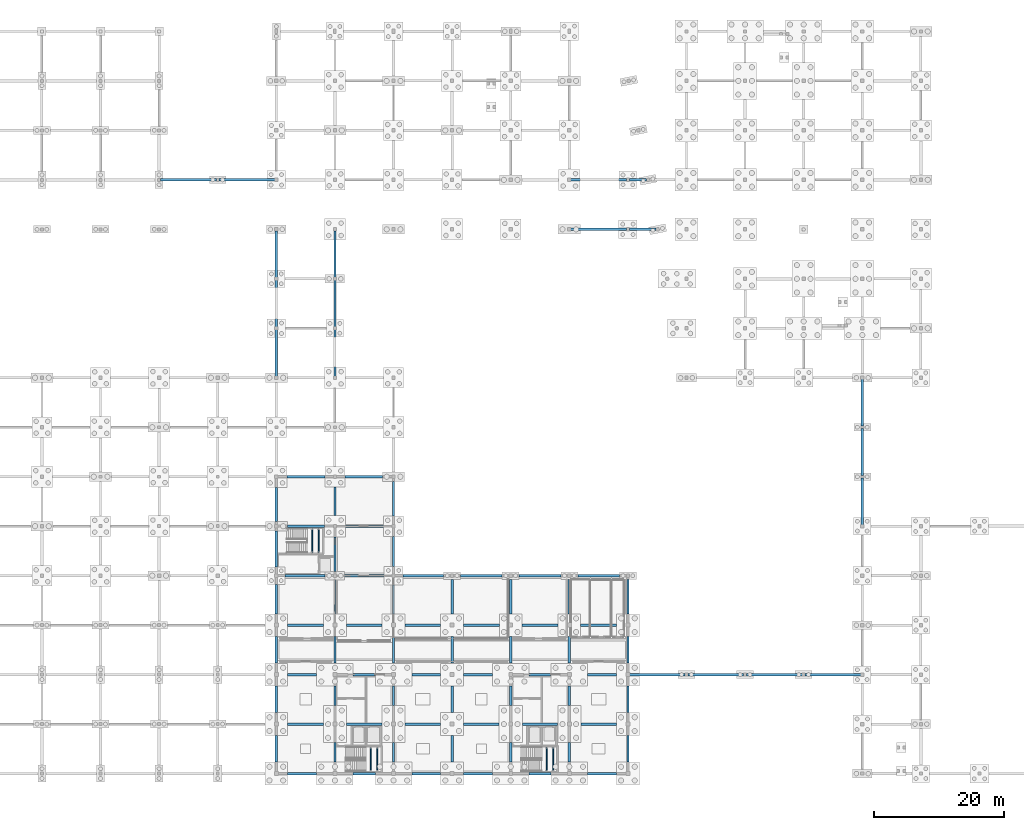
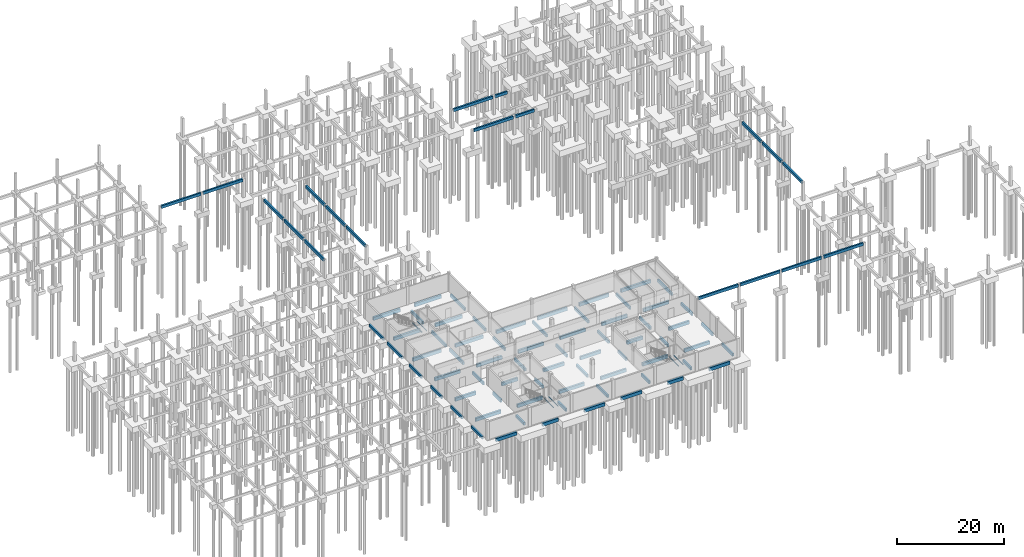
# One storey, part 22 of 28: 93 beams.
"""IFC4 building model written with IfcOpenShell, lengths in metres."""

from ifc_helpers import new_model, si_unit, direction, frame, origin, origin_2d, place, context, subcontext, project, spatial, rectangle, i_section, extrude, material, material_profile, profile_set, type_object, element, save


model = new_model("IFC4")

# Units and contexts
model_context = context("Model", 3, precision=1e-05, world=origin(), true_north=direction((0.0, 1.0)))
body_context = subcontext(model_context, "Body", "Model", "MODEL_VIEW")
ifc_project = project(units=[si_unit("LENGTHUNIT", "METRE"), si_unit("AREAUNIT", "SQUARE_METRE"), si_unit("VOLUMEUNIT", "CUBIC_METRE"), si_unit("PLANEANGLEUNIT", "RADIAN"), si_unit("MASSUNIT", "GRAM", prefix="KILO")], contexts=[model_context])

# Site, building, storey
site_placement = place(None, origin())
site = spatial("IfcSite", under=ifc_project, at=site_placement, CompositionType="ELEMENT")
building_placement = place(site_placement, origin())
building = spatial("IfcBuilding", under=site, at=building_placement, Name="Caisbarro Railhouse Central Library", CompositionType="ELEMENT")
storey_placement = place(building_placement, frame((0.0, 0.0, -4.320068359375)))
storey = spatial("IfcBuildingStorey", under=building, at=storey_placement, Name="B01", CompositionType="ELEMENT", Elevation=-4.320068359375)

# Beams
ifc_material_1 = material(Name="Concrete C35", Category="concrete")
ifc_material_profile_1 = material_profile(ifc_material_1, rectangle(XDim=0.39990234375, YDim=0.75, at=origin_2d()), Name="RC-BM-400X750")
ifc_profile_set_1 = profile_set([ifc_material_profile_1], Name="Concrete C35")
beam_type_1 = type_object("IfcBeamType", Name="BM-RC01", PredefinedType="BEAM", material=ifc_profile_set_1)
beam_1_placement = place(storey_placement, frame((55.751953125, 0.0, -0.724853515625), z_axis=(1.0, 0.0, 0.0), x_axis=(0.0, 1.0, 0.0)))
element("IfcBeam", 1, at=beam_1_placement, inside=storey, type_object=beam_type_1, Name="RCB1 beam B01 #1", PredefinedType="BEAM", context=body_context, shape_type="SweptSolid", body=[
    extrude(rectangle(XDim=0.39990234375, YDim=0.75, at=origin_2d()), origin(), (0.0, 0.0, 1.0), 4.446044921875),
])
beam_2_placement = place(storey_placement, frame((65.802001953125, 0.0, -0.724853515625), z_axis=(1.0, 0.0, 0.0), x_axis=(0.0, 1.0, 0.0)))
element("IfcBeam", 2, at=beam_2_placement, inside=storey, type_object=beam_type_1, Name="RCB1 beam B01 #2", PredefinedType="BEAM", context=body_context, shape_type="SweptSolid", body=[
    extrude(rectangle(XDim=0.39990234375, YDim=0.75, at=origin_2d()), origin(), (0.0, 0.0, 1.0), 3.39599609375),
])
for number, where, z_axis, x_axis, name in (
    (3, (74.802001953125, 0.0, -0.724853515625), (1.0, 0.0, 0.0), (0.0, 1.0, 0.0), "RCB1 beam B01 #3"),
    (4, (82.751953125, 0.0, -0.724853515625), (1.0, 0.0, 0.0), (0.0, 1.0, 0.0), "RCB1 beam B01 #4"),
):
    element("IfcBeam", number, at=place(storey_placement, frame(where, z_axis=z_axis, x_axis=x_axis)), inside=storey, type_object=beam_type_1, Name=name, PredefinedType="BEAM", context=body_context, shape_type="SweptSolid", body=[
        extrude(rectangle(XDim=0.39990234375, YDim=0.75, at=origin_2d()), origin(), (0.0, 0.0, 1.0), 4.446044921875),
    ])
beam_3_placement = place(storey_placement, frame((92.802001953125, 0.0, -0.724853515625), z_axis=(1.0, 0.0, 0.0), x_axis=(0.0, 1.0, 0.0)))
element("IfcBeam", 5, at=beam_3_placement, inside=storey, type_object=beam_type_1, Name="RCB1 beam B01 #5", PredefinedType="BEAM", context=body_context, shape_type="SweptSolid", body=[
    extrude(rectangle(XDim=0.39990234375, YDim=0.75, at=origin_2d()), origin(), (0.0, 0.0, 1.0), 3.39599609375),
])
beam_4_placement = place(storey_placement, frame((101.802001953125, 0.0, -0.724853515625), z_axis=(1.0, 0.0, 0.0), x_axis=(0.0, 1.0, 0.0)))
element("IfcBeam", 6, at=beam_4_placement, inside=storey, type_object=beam_type_1, Name="RCB1 beam B01 #6", PredefinedType="BEAM", context=body_context, shape_type="SweptSolid", body=[
    extrude(rectangle(XDim=0.39990234375, YDim=0.75, at=origin_2d()), origin(), (0.0, 0.0, 1.0), 4.446044921875),
])
beam_5_placement = place(storey_placement, frame((55.751953125, 7.60009765625, -0.724853515625), z_axis=(1.0, 0.0, 0.0), x_axis=(0.0, 1.0, 0.0)))
element("IfcBeam", 7, at=beam_5_placement, inside=storey, type_object=beam_type_1, Name="RCB1 beam B01 #7", PredefinedType="BEAM", context=body_context, shape_type="SweptSolid", body=[
    extrude(rectangle(XDim=0.39990234375, YDim=0.75, at=origin_2d()), origin(), (0.0, 0.0, 1.0), 5.470947265625),
])
beam_6_placement = place(storey_placement, frame((64.777099609375, 7.60009765625, -0.724853515625), z_axis=(1.0, 0.0, 0.0), x_axis=(0.0, 1.0, 0.0)))
element("IfcBeam", 8, at=beam_6_placement, inside=storey, type_object=beam_type_1, Name="RCB1 beam B01 #8", PredefinedType="BEAM", context=body_context, shape_type="SweptSolid", body=[
    extrude(rectangle(XDim=0.39990234375, YDim=0.75, at=origin_2d()), origin(), (0.0, 0.0, 1.0), 5.44580078125),
])
for number, where, z_axis, x_axis, name in (
    (9, (73.777099609375, 7.60009765625, -0.724853515625), (1.0, 0.0, 0.0), (0.0, 1.0, 0.0), "RCB1 beam B01 #9"),
    (10, (82.751953125, 7.60009765625, -0.724853515625), (1.0, 0.0, 0.0), (0.0, 1.0, 0.0), "RCB1 beam B01 #10"),
):
    element("IfcBeam", number, at=place(storey_placement, frame(where, z_axis=z_axis, x_axis=x_axis)), inside=storey, type_object=beam_type_1, Name=name, PredefinedType="BEAM", context=body_context, shape_type="SweptSolid", body=[
        extrude(rectangle(XDim=0.39990234375, YDim=0.75, at=origin_2d()), origin(), (0.0, 0.0, 1.0), 5.470947265625),
    ])
beam_7_placement = place(storey_placement, frame((91.777099609375, 7.60009765625, -0.724853515625), z_axis=(1.0, 0.0, 0.0), x_axis=(0.0, 1.0, 0.0)))
element("IfcBeam", 11, at=beam_7_placement, inside=storey, type_object=beam_type_1, Name="RCB1 beam B01 #11", PredefinedType="BEAM", context=body_context, shape_type="SweptSolid", body=[
    extrude(rectangle(XDim=0.39990234375, YDim=0.75, at=origin_2d()), origin(), (0.0, 0.0, 1.0), 5.44580078125),
])
beam_8_placement = place(storey_placement, frame((100.777099609375, 7.60009765625, -0.724853515625), z_axis=(1.0, 0.0, 0.0), x_axis=(0.0, 1.0, 0.0)))
element("IfcBeam", 12, at=beam_8_placement, inside=storey, type_object=beam_type_1, Name="RCB1 beam B01 #12", PredefinedType="BEAM", context=body_context, shape_type="SweptSolid", body=[
    extrude(rectangle(XDim=0.39990234375, YDim=0.75, at=origin_2d()), origin(), (0.0, 0.0, 1.0), 5.470947265625),
])
beam_9_placement = place(storey_placement, frame((55.751953125, 15.199951171875, -0.724853515625), z_axis=(1.0, 0.0, 0.0), x_axis=(0.0, 1.0, 0.0)))
element("IfcBeam", 13, at=beam_9_placement, inside=storey, type_object=beam_type_1, Name="RCB1 beam B01 #13", PredefinedType="BEAM", context=body_context, shape_type="SweptSolid", body=[
    extrude(rectangle(XDim=0.39990234375, YDim=0.75, at=origin_2d()), origin(), (0.0, 0.0, 1.0), 4.446044921875),
])
beam_10_placement = place(storey_placement, frame((65.802001953125, 15.199951171875, -0.724853515625), z_axis=(1.0, 0.0, 0.0), x_axis=(0.0, 1.0, 0.0)))
element("IfcBeam", 14, at=beam_10_placement, inside=storey, type_object=beam_type_1, Name="RCB1 beam B01 #14", PredefinedType="BEAM", context=body_context, shape_type="SweptSolid", body=[
    extrude(rectangle(XDim=0.39990234375, YDim=0.75, at=origin_2d()), origin(), (0.0, 0.0, 1.0), 3.39599609375),
])
for number, where, z_axis, x_axis, name in (
    (15, (74.802001953125, 15.199951171875, -0.724853515625), (1.0, 0.0, 0.0), (0.0, 1.0, 0.0), "RCB1 beam B01 #15"),
    (16, (82.751953125, 15.199951171875, -0.724853515625), (1.0, 0.0, 0.0), (0.0, 1.0, 0.0), "RCB1 beam B01 #16"),
):
    element("IfcBeam", number, at=place(storey_placement, frame(where, z_axis=z_axis, x_axis=x_axis)), inside=storey, type_object=beam_type_1, Name=name, PredefinedType="BEAM", context=body_context, shape_type="SweptSolid", body=[
        extrude(rectangle(XDim=0.39990234375, YDim=0.75, at=origin_2d()), origin(), (0.0, 0.0, 1.0), 4.446044921875),
    ])
beam_11_placement = place(storey_placement, frame((92.802001953125, 15.199951171875, -0.724853515625), z_axis=(1.0, 0.0, 0.0), x_axis=(0.0, 1.0, 0.0)))
element("IfcBeam", 17, at=beam_11_placement, inside=storey, type_object=beam_type_1, Name="RCB1 beam B01 #17", PredefinedType="BEAM", context=body_context, shape_type="SweptSolid", body=[
    extrude(rectangle(XDim=0.39990234375, YDim=0.75, at=origin_2d()), origin(), (0.0, 0.0, 1.0), 3.39599609375),
])
beam_12_placement = place(storey_placement, frame((101.802001953125, 15.199951171875, -0.724853515625), z_axis=(1.0, 0.0, 0.0), x_axis=(0.0, 1.0, 0.0)))
element("IfcBeam", 18, at=beam_12_placement, inside=storey, type_object=beam_type_1, Name="RCB1 beam B01 #18", PredefinedType="BEAM", context=body_context, shape_type="SweptSolid", body=[
    extrude(rectangle(XDim=0.39990234375, YDim=0.75, at=origin_2d()), origin(), (0.0, 0.0, 1.0), 4.446044921875),
])
for number, where, z_axis, x_axis, name in (
    (19, (55.751953125, 22.800048828125, -0.724853515625), (1.0, 0.0, 0.0), (0.0, 1.0, 0.0), "RCB1 beam B01 #19"),
    (20, (64.751953125, 22.800048828125, -0.724853515625), (1.0, 0.0, 0.0), (0.0, 1.0, 0.0), "RCB1 beam B01 #20"),
    (21, (73.751953125, 22.800048828125, -0.724853515625), (1.0, 0.0, 0.0), (0.0, 1.0, 0.0), "RCB1 beam B01 #21"),
    (22, (82.751953125, 22.800048828125, -0.724853515625), (1.0, 0.0, 0.0), (0.0, 1.0, 0.0), "RCB1 beam B01 #22"),
    (23, (91.751953125, 22.800048828125, -0.724853515625), (1.0, 0.0, 0.0), (0.0, 1.0, 0.0), "RCB1 beam B01 #23"),
    (24, (100.751953125, 22.800048828125, -0.724853515625), (1.0, 0.0, 0.0), (0.0, 1.0, 0.0), "RCB1 beam B01 #24"),
):
    element("IfcBeam", number, at=place(storey_placement, frame(where, z_axis=z_axis, x_axis=x_axis)), inside=storey, type_object=beam_type_1, Name=name, PredefinedType="BEAM", context=body_context, shape_type="SweptSolid", body=[
        extrude(rectangle(XDim=0.39990234375, YDim=0.75, at=origin_2d()), origin(), (0.0, 0.0, 1.0), 5.49609375),
    ])
beam_13_placement = place(storey_placement, frame((55.35205078125, 30.39990234375, -0.724853515625), z_axis=(1.0, 0.0, 0.0), x_axis=(0.0, 1.0, 0.0)))
element("IfcBeam", 25, at=beam_13_placement, inside=storey, type_object=beam_type_1, Name="RCB1 beam B01 #25", PredefinedType="BEAM", context=body_context, shape_type="SweptSolid", body=[
    extrude(rectangle(XDim=0.39990234375, YDim=0.75, at=origin_2d()), origin(), (0.0, 0.0, 1.0), 6.14599609375),
])
beam_14_placement = place(storey_placement, frame((64.501953125, 30.39990234375, -0.724853515625), z_axis=(1.0, 0.0, 0.0), x_axis=(0.0, 1.0, 0.0)))
element("IfcBeam", 26, at=beam_14_placement, inside=storey, type_object=beam_type_1, Name="RCB1 beam B01 #26", PredefinedType="BEAM", context=body_context, shape_type="SweptSolid", body=[
    extrude(rectangle(XDim=0.39990234375, YDim=0.75, at=origin_2d()), origin(), (0.0, 0.0, 1.0), 6.071044921875),
])
beam_15_placement = place(storey_placement, frame((73.427001953125, 30.39990234375, -0.724853515625), z_axis=(1.0, 0.0, 0.0), x_axis=(0.0, 1.0, 0.0)))
element("IfcBeam", 27, at=beam_15_placement, inside=storey, type_object=beam_type_1, Name="RCB1 beam B01 #27", PredefinedType="BEAM", context=body_context, shape_type="SweptSolid", body=[
    extrude(rectangle(XDim=0.39990234375, YDim=0.75, at=origin_2d()), origin(), (0.0, 0.0, 1.0), 6.27099609375),
])
for number, where, z_axis, x_axis, name in (
    (28, (82.302001953125, 30.39990234375, -0.724853515625), (1.0, 0.0, 0.0), (0.0, 1.0, 0.0), "RCB1 beam B01 #28"),
    (29, (91.302001953125, 30.39990234375, -0.724853515625), (1.0, 0.0, 0.0), (0.0, 1.0, 0.0), "RCB1 beam B01 #29"),
    (30, (100.302001953125, 30.39990234375, -0.724853515625), (1.0, 0.0, 0.0), (0.0, 1.0, 0.0), "RCB1 beam B01 #30"),
):
    element("IfcBeam", number, at=place(storey_placement, frame(where, z_axis=z_axis, x_axis=x_axis)), inside=storey, type_object=beam_type_1, Name=name, PredefinedType="BEAM", context=body_context, shape_type="SweptSolid", body=[
        extrude(rectangle(XDim=0.39990234375, YDim=0.75, at=origin_2d()), origin(), (0.0, 0.0, 1.0), 6.39599609375),
    ])
beam_16_placement = place(storey_placement, frame((55.701904296875, 38.0, -0.675048828125), z_axis=(1.0, 0.0, 0.0), x_axis=(0.0, 1.0, 0.0)))
element("IfcBeam", 31, at=beam_16_placement, inside=storey, type_object=beam_type_1, Name="RCB1 beam B01 #59", PredefinedType="BEAM", context=body_context, shape_type="SweptSolid", body=[
    extrude(rectangle(XDim=0.39990234375, YDim=0.75, at=origin_2d()), origin(), (0.0, 0.0, 1.0), 5.671142578125),
])
for number, where, z_axis, x_axis, name in (
    (32, (64.626953125, 38.0, -0.675048828125), (1.0, 0.0, 0.0), (0.0, 1.0, 0.0), "RCB1 beam B01 #60"),
    (33, (55.626953125, 45.60009765625, -0.675048828125), (1.0, 0.0, 0.0), (0.0, 1.0, 0.0), "RCB1 beam B01 #61"),
):
    element("IfcBeam", number, at=place(storey_placement, frame(where, z_axis=z_axis, x_axis=x_axis)), inside=storey, type_object=beam_type_1, Name=name, PredefinedType="BEAM", context=body_context, shape_type="SweptSolid", body=[
        extrude(rectangle(XDim=0.39990234375, YDim=0.75, at=origin_2d()), origin(), (0.0, 0.0, 1.0), 5.821044921875),
    ])
beam_17_placement = place(storey_placement, frame((64.552001953125, 45.60009765625, -0.675048828125), z_axis=(1.0, 0.0, 0.0), x_axis=(0.0, 1.0, 0.0)))
element("IfcBeam", 34, at=beam_17_placement, inside=storey, type_object=beam_type_1, Name="RCB1 beam B01 #62", PredefinedType="BEAM", context=body_context, shape_type="SweptSolid", body=[
    extrude(rectangle(XDim=0.39990234375, YDim=0.75, at=origin_2d()), origin(), (0.0, 0.0, 1.0), 5.74609375),
])
ifc_material_profile_2 = material_profile(ifc_material_1, rectangle(XDim=0.35009765625, YDim=0.64990234375, at=origin_2d()), Name="RC-BM-350X650")
ifc_profile_set_2 = profile_set([ifc_material_profile_2], Name="Concrete C35")
beam_type_2 = type_object("IfcBeamType", Name="BM-RC02", PredefinedType="BEAM", material=ifc_profile_set_2)
for number, where, z_axis, x_axis, name in (
    (35, (54.0, 1.751953125, -0.675048828125), (0.0, 1.0, 0.0), (-1.0, 0.0, 0.0), "RCB2 beam B01 #31"),
    (36, (54.0, 9.35205078125, -0.675048828125), (0.0, 1.0, 0.0), (-1.0, 0.0, 0.0), "RCB2 beam B01 #32"),
):
    element("IfcBeam", number, at=place(storey_placement, frame(where, z_axis=z_axis, x_axis=x_axis)), inside=storey, type_object=beam_type_2, Name=name, PredefinedType="BEAM", context=body_context, shape_type="SweptSolid", body=[
        extrude(rectangle(XDim=0.35009765625, YDim=0.64990234375, at=origin_2d()), origin(), (0.0, 0.0, 1.0), 4.095947265625),
    ])
beam_18_placement = place(storey_placement, frame((54.0, 16.951904296875, -0.675048828125), z_axis=(0.0, 1.0, 0.0), x_axis=(-1.0, 0.0, 0.0)))
element("IfcBeam", 37, at=beam_18_placement, inside=storey, type_object=beam_type_2, Name="RCB2 beam B01 #33", PredefinedType="BEAM", context=body_context, shape_type="SweptSolid", body=[
    extrude(rectangle(XDim=0.35009765625, YDim=0.64990234375, at=origin_2d()), origin(), (0.0, 0.0, 1.0), 4.09619140625),
])
beam_19_placement = place(storey_placement, frame((54.0, 24.552001953125, -0.675048828125), z_axis=(0.0, 1.0, 0.0), x_axis=(-1.0, 0.0, 0.0)))
element("IfcBeam", 38, at=beam_19_placement, inside=storey, type_object=beam_type_2, Name="RCB2 beam B01 #34", PredefinedType="BEAM", context=body_context, shape_type="SweptSolid", body=[
    extrude(rectangle(XDim=0.35009765625, YDim=0.64990234375, at=origin_2d()), origin(), (0.0, 0.0, 1.0), 4.49609375),
])
for number, where, z_axis, x_axis, name in (
    (39, (63.0, 1.751953125, -0.675048828125), (0.0, 1.0, 0.0), (-1.0, 0.0, 0.0), "RCB2 beam B01 #35"),
    (40, (63.0, 10.427001953125, -0.675048828125), (0.0, 1.0, 0.0), (-1.0, 0.0, 0.0), "RCB2 beam B01 #36"),
):
    element("IfcBeam", number, at=place(storey_placement, frame(where, z_axis=z_axis, x_axis=x_axis)), inside=storey, type_object=beam_type_2, Name=name, PredefinedType="BEAM", context=body_context, shape_type="SweptSolid", body=[
        extrude(rectangle(XDim=0.35009765625, YDim=0.64990234375, at=origin_2d()), origin(), (0.0, 0.0, 1.0), 3.02099609375),
    ])
beam_20_placement = place(storey_placement, frame((63.0, 16.951904296875, -0.675048828125), z_axis=(0.0, 1.0, 0.0), x_axis=(-1.0, 0.0, 0.0)))
element("IfcBeam", 41, at=beam_20_placement, inside=storey, type_object=beam_type_2, Name="RCB2 beam B01 #37", PredefinedType="BEAM", context=body_context, shape_type="SweptSolid", body=[
    extrude(rectangle(XDim=0.35009765625, YDim=0.64990234375, at=origin_2d()), origin(), (0.0, 0.0, 1.0), 4.09619140625),
])
beam_21_placement = place(storey_placement, frame((63.0, 24.552001953125, -0.675048828125), z_axis=(0.0, 1.0, 0.0), x_axis=(-1.0, 0.0, 0.0)))
element("IfcBeam", 42, at=beam_21_placement, inside=storey, type_object=beam_type_2, Name="RCB2 beam B01 #38", PredefinedType="BEAM", context=body_context, shape_type="SweptSolid", body=[
    extrude(rectangle(XDim=0.35009765625, YDim=0.64990234375, at=origin_2d()), origin(), (0.0, 0.0, 1.0), 5.1708984375),
])
for number, where, z_axis, x_axis, name in (
    (43, (72.0, 1.751953125, -0.675048828125), (0.0, 1.0, 0.0), (-1.0, 0.0, 0.0), "RCB2 beam B01 #39"),
    (44, (72.0, 10.427001953125, -0.675048828125), (0.0, 1.0, 0.0), (-1.0, 0.0, 0.0), "RCB2 beam B01 #40"),
):
    element("IfcBeam", number, at=place(storey_placement, frame(where, z_axis=z_axis, x_axis=x_axis)), inside=storey, type_object=beam_type_2, Name=name, PredefinedType="BEAM", context=body_context, shape_type="SweptSolid", body=[
        extrude(rectangle(XDim=0.35009765625, YDim=0.64990234375, at=origin_2d()), origin(), (0.0, 0.0, 1.0), 3.02099609375),
    ])
beam_22_placement = place(storey_placement, frame((72.0, 16.951904296875, -0.675048828125), z_axis=(0.0, 1.0, 0.0), x_axis=(-1.0, 0.0, 0.0)))
element("IfcBeam", 45, at=beam_22_placement, inside=storey, type_object=beam_type_2, Name="RCB2 beam B01 #41", PredefinedType="BEAM", context=body_context, shape_type="SweptSolid", body=[
    extrude(rectangle(XDim=0.35009765625, YDim=0.64990234375, at=origin_2d()), origin(), (0.0, 0.0, 1.0), 4.09619140625),
])
beam_23_placement = place(storey_placement, frame((72.0, 24.552001953125, -0.675048828125), z_axis=(0.0, 1.0, 0.0), x_axis=(-1.0, 0.0, 0.0)))
element("IfcBeam", 46, at=beam_23_placement, inside=storey, type_object=beam_type_2, Name="RCB2 beam B01 #42", PredefinedType="BEAM", context=body_context, shape_type="SweptSolid", body=[
    extrude(rectangle(XDim=0.35009765625, YDim=0.64990234375, at=origin_2d()), origin(), (0.0, 0.0, 1.0), 4.4208984375),
])
for number, where, z_axis, x_axis, name in (
    (47, (81.0, 1.751953125, -0.675048828125), (0.0, 1.0, 0.0), (-1.0, 0.0, 0.0), "RCB2 beam B01 #43"),
    (48, (81.0, 9.35205078125, -0.675048828125), (0.0, 1.0, 0.0), (-1.0, 0.0, 0.0), "RCB2 beam B01 #44"),
):
    element("IfcBeam", number, at=place(storey_placement, frame(where, z_axis=z_axis, x_axis=x_axis)), inside=storey, type_object=beam_type_2, Name=name, PredefinedType="BEAM", context=body_context, shape_type="SweptSolid", body=[
        extrude(rectangle(XDim=0.35009765625, YDim=0.64990234375, at=origin_2d()), origin(), (0.0, 0.0, 1.0), 4.095947265625),
    ])
beam_24_placement = place(storey_placement, frame((81.0, 16.951904296875, -0.675048828125), z_axis=(0.0, 1.0, 0.0), x_axis=(-1.0, 0.0, 0.0)))
element("IfcBeam", 49, at=beam_24_placement, inside=storey, type_object=beam_type_2, Name="RCB2 beam B01 #45", PredefinedType="BEAM", context=body_context, shape_type="SweptSolid", body=[
    extrude(rectangle(XDim=0.35009765625, YDim=0.64990234375, at=origin_2d()), origin(), (0.0, 0.0, 1.0), 4.09619140625),
])
beam_25_placement = place(storey_placement, frame((81.0, 24.552001953125, -0.675048828125), z_axis=(0.0, 1.0, 0.0), x_axis=(-1.0, 0.0, 0.0)))
element("IfcBeam", 50, at=beam_25_placement, inside=storey, type_object=beam_type_2, Name="RCB2 beam B01 #46", PredefinedType="BEAM", context=body_context, shape_type="SweptSolid", body=[
    extrude(rectangle(XDim=0.35009765625, YDim=0.64990234375, at=origin_2d()), origin(), (0.0, 0.0, 1.0), 5.24609375),
])
for number, where, z_axis, x_axis, name in (
    (51, (90.0, 1.751953125, -0.675048828125), (0.0, 1.0, 0.0), (-1.0, 0.0, 0.0), "RCB2 beam B01 #47"),
    (52, (90.0, 10.427001953125, -0.675048828125), (0.0, 1.0, 0.0), (-1.0, 0.0, 0.0), "RCB2 beam B01 #48"),
):
    element("IfcBeam", number, at=place(storey_placement, frame(where, z_axis=z_axis, x_axis=x_axis)), inside=storey, type_object=beam_type_2, Name=name, PredefinedType="BEAM", context=body_context, shape_type="SweptSolid", body=[
        extrude(rectangle(XDim=0.35009765625, YDim=0.64990234375, at=origin_2d()), origin(), (0.0, 0.0, 1.0), 3.02099609375),
    ])
beam_26_placement = place(storey_placement, frame((90.0, 16.951904296875, -0.675048828125), z_axis=(0.0, 1.0, 0.0), x_axis=(-1.0, 0.0, 0.0)))
element("IfcBeam", 53, at=beam_26_placement, inside=storey, type_object=beam_type_2, Name="RCB2 beam B01 #49", PredefinedType="BEAM", context=body_context, shape_type="SweptSolid", body=[
    extrude(rectangle(XDim=0.35009765625, YDim=0.64990234375, at=origin_2d()), origin(), (0.0, 0.0, 1.0), 4.09619140625),
])
beam_27_placement = place(storey_placement, frame((90.0, 24.552001953125, -0.675048828125), z_axis=(0.0, 1.0, 0.0), x_axis=(-1.0, 0.0, 0.0)))
element("IfcBeam", 54, at=beam_27_placement, inside=storey, type_object=beam_type_2, Name="RCB2 beam B01 #50", PredefinedType="BEAM", context=body_context, shape_type="SweptSolid", body=[
    extrude(rectangle(XDim=0.35009765625, YDim=0.64990234375, at=origin_2d()), origin(), (0.0, 0.0, 1.0), 5.24609375),
])
for number, where, z_axis, x_axis, name in (
    (55, (99.0, 1.751953125, -0.675048828125), (0.0, 1.0, 0.0), (-1.0, 0.0, 0.0), "RCB2 beam B01 #51"),
    (56, (99.0, 10.427001953125, -0.675048828125), (0.0, 1.0, 0.0), (-1.0, 0.0, 0.0), "RCB2 beam B01 #52"),
):
    element("IfcBeam", number, at=place(storey_placement, frame(where, z_axis=z_axis, x_axis=x_axis)), inside=storey, type_object=beam_type_2, Name=name, PredefinedType="BEAM", context=body_context, shape_type="SweptSolid", body=[
        extrude(rectangle(XDim=0.35009765625, YDim=0.64990234375, at=origin_2d()), origin(), (0.0, 0.0, 1.0), 3.02099609375),
    ])
beam_28_placement = place(storey_placement, frame((99.0, 16.951904296875, -0.675048828125), z_axis=(0.0, 1.0, 0.0), x_axis=(-1.0, 0.0, 0.0)))
element("IfcBeam", 57, at=beam_28_placement, inside=storey, type_object=beam_type_2, Name="RCB2 beam B01 #53", PredefinedType="BEAM", context=body_context, shape_type="SweptSolid", body=[
    extrude(rectangle(XDim=0.35009765625, YDim=0.64990234375, at=origin_2d()), origin(), (0.0, 0.0, 1.0), 4.09619140625),
])
beam_29_placement = place(storey_placement, frame((99.0, 24.552001953125, -0.675048828125), z_axis=(0.0, 1.0, 0.0), x_axis=(-1.0, 0.0, 0.0)))
element("IfcBeam", 58, at=beam_29_placement, inside=storey, type_object=beam_type_2, Name="RCB2 beam B01 #54", PredefinedType="BEAM", context=body_context, shape_type="SweptSolid", body=[
    extrude(rectangle(XDim=0.35009765625, YDim=0.64990234375, at=origin_2d()), origin(), (0.0, 0.0, 1.0), 5.24609375),
])
for number, where, z_axis, x_axis, name in (
    (59, (108.0, 1.751953125, -0.675048828125), (0.0, 1.0, 0.0), (-1.0, 0.0, 0.0), "RCB2 beam B01 #55"),
    (60, (108.0, 9.35205078125, -0.675048828125), (0.0, 1.0, 0.0), (-1.0, 0.0, 0.0), "RCB2 beam B01 #56"),
):
    element("IfcBeam", number, at=place(storey_placement, frame(where, z_axis=z_axis, x_axis=x_axis)), inside=storey, type_object=beam_type_2, Name=name, PredefinedType="BEAM", context=body_context, shape_type="SweptSolid", body=[
        extrude(rectangle(XDim=0.35009765625, YDim=0.64990234375, at=origin_2d()), origin(), (0.0, 0.0, 1.0), 4.095947265625),
    ])
beam_30_placement = place(storey_placement, frame((108.0, 16.951904296875, -0.675048828125), z_axis=(0.0, 1.0, 0.0), x_axis=(-1.0, 0.0, 0.0)))
element("IfcBeam", 61, at=beam_30_placement, inside=storey, type_object=beam_type_2, Name="RCB2 beam B01 #57", PredefinedType="BEAM", context=body_context, shape_type="SweptSolid", body=[
    extrude(rectangle(XDim=0.35009765625, YDim=0.64990234375, at=origin_2d()), origin(), (0.0, 0.0, 1.0), 4.09619140625),
])
beam_31_placement = place(storey_placement, frame((108.0, 24.552001953125, -0.675048828125), z_axis=(0.0, 1.0, 0.0), x_axis=(-1.0, 0.0, 0.0)))
element("IfcBeam", 62, at=beam_31_placement, inside=storey, type_object=beam_type_2, Name="RCB2 beam B01 #58", PredefinedType="BEAM", context=body_context, shape_type="SweptSolid", body=[
    extrude(rectangle(XDim=0.35009765625, YDim=0.64990234375, at=origin_2d()), origin(), (0.0, 0.0, 1.0), 5.24609375),
])
beam_32_placement = place(storey_placement, frame((54.0, 31.751953125, -0.625), z_axis=(0.0, 1.0, 0.0), x_axis=(-1.0, 0.0, 0.0)))
element("IfcBeam", 63, at=beam_32_placement, inside=storey, type_object=beam_type_2, Name="RCB2 beam B01 #63", PredefinedType="BEAM", context=body_context, shape_type="SweptSolid", body=[
    extrude(rectangle(XDim=0.35009765625, YDim=0.64990234375, at=origin_2d()), origin(), (0.0, 0.0, 1.0), 5.49609375),
])
beam_33_placement = place(storey_placement, frame((54.0, 38.751953125, -0.625), z_axis=(0.0, 1.0, 0.0), x_axis=(-1.0, 0.0, 0.0)))
element("IfcBeam", 64, at=beam_33_placement, inside=storey, type_object=beam_type_2, Name="RCB2 beam B01 #64", PredefinedType="BEAM", context=body_context, shape_type="SweptSolid", body=[
    extrude(rectangle(XDim=0.35009765625, YDim=0.64990234375, at=origin_2d()), origin(), (0.0, 0.0, 1.0), 5.220947265625),
])
beam_34_placement = place(storey_placement, frame((63.0, 31.076904296875, -0.625), z_axis=(0.0, 1.0, 0.0), x_axis=(-1.0, 0.0, 0.0)))
element("IfcBeam", 65, at=beam_34_placement, inside=storey, type_object=beam_type_2, Name="RCB2 beam B01 #65", PredefinedType="BEAM", context=body_context, shape_type="SweptSolid", body=[
    extrude(rectangle(XDim=0.35009765625, YDim=0.64990234375, at=origin_2d()), origin(), (0.0, 0.0, 1.0), 5.296142578125),
])
beam_35_placement = place(storey_placement, frame((63.0, 39.626953125, -0.625), z_axis=(0.0, 1.0, 0.0), x_axis=(-1.0, 0.0, 0.0)))
element("IfcBeam", 66, at=beam_35_placement, inside=storey, type_object=beam_type_2, Name="RCB2 beam B01 #66", PredefinedType="BEAM", context=body_context, shape_type="SweptSolid", body=[
    extrude(rectangle(XDim=0.35009765625, YDim=0.64990234375, at=origin_2d()), origin(), (0.0, 0.0, 1.0), 4.421142578125),
])
beam_36_placement = place(storey_placement, frame((72.0, 31.826904296875, -0.625), z_axis=(0.0, 1.0, 0.0), x_axis=(-1.0, 0.0, 0.0)))
element("IfcBeam", 67, at=beam_36_placement, inside=storey, type_object=beam_type_2, Name="RCB2 beam B01 #67", PredefinedType="BEAM", context=body_context, shape_type="SweptSolid", body=[
    extrude(rectangle(XDim=0.35009765625, YDim=0.64990234375, at=origin_2d()), origin(), (0.0, 0.0, 1.0), 4.62109375),
])
beam_37_placement = place(storey_placement, frame((72.0, 39.552001953125, -0.625), z_axis=(0.0, 1.0, 0.0), x_axis=(-1.0, 0.0, 0.0)))
element("IfcBeam", 68, at=beam_37_placement, inside=storey, type_object=beam_type_2, Name="RCB2 beam B01 #68", PredefinedType="BEAM", context=body_context, shape_type="SweptSolid", body=[
    extrude(rectangle(XDim=0.35009765625, YDim=0.64990234375, at=origin_2d()), origin(), (0.0, 0.0, 1.0), 5.2958984375),
])
for number, where, z_axis, x_axis, name in (
    (69, (36.219970703125, 91.199951171875, 3.969970703125), (1.0, 0.0, 0.0), (0.0, 1.0, 0.0), "RCB2 beam B01 #2234"),
    (70, (45.219970703125, 91.199951171875, 3.969970703125), (1.0, 0.0, 0.0), (0.0, 1.0, 0.0), "RCB2 beam B01 #2235"),
):
    element("IfcBeam", number, at=place(storey_placement, frame(where, z_axis=z_axis, x_axis=x_axis)), inside=storey, type_object=beam_type_2, Name=name, PredefinedType="BEAM", context=body_context, shape_type="SweptSolid", body=[
        extrude(rectangle(XDim=0.35009765625, YDim=0.64990234375, at=origin_2d()), origin(), (0.0, 0.0, 1.0), 8.56005859375),
    ])
for number, where, z_axis, x_axis, name in (
    (71, (54.0, 61.02001953125, 3.969970703125), (0.0, 1.0, 0.0), (-1.0, 0.0, 0.0), "RCB2 beam B01 #2236"),
    (72, (54.0, 68.6201171875, 3.969970703125), (0.0, 1.0, 0.0), (-1.0, 0.0, 0.0), "RCB2 beam B01 #2237"),
    (73, (54.0, 76.219970703125, 3.969970703125), (0.0, 1.0, 0.0), (-1.0, 0.0, 0.0), "RCB2 beam B01 #2238"),
    (74, (63.0, 61.02001953125, 3.969970703125), (0.0, 1.0, 0.0), (-1.0, 0.0, 0.0), "RCB2 beam B01 #2239"),
    (75, (63.0, 68.6201171875, 3.969970703125), (0.0, 1.0, 0.0), (-1.0, 0.0, 0.0), "RCB2 beam B01 #2240"),
    (76, (63.0, 76.219970703125, 3.969970703125), (0.0, 1.0, 0.0), (-1.0, 0.0, 0.0), "RCB2 beam B01 #2241"),
):
    element("IfcBeam", number, at=place(storey_placement, frame(where, z_axis=z_axis, x_axis=x_axis)), inside=storey, type_object=beam_type_2, Name=name, PredefinedType="BEAM", context=body_context, shape_type="SweptSolid", body=[
        extrude(rectangle(XDim=0.35009765625, YDim=0.64990234375, at=origin_2d()), origin(), (0.0, 0.0, 1.0), 7.159912109375),
    ])
beam_38_placement = place(storey_placement, frame((99.219970703125, 83.60009765625, 3.969970703125), z_axis=(1.0, 0.0, 0.0), x_axis=(0.0, 1.0, 0.0)))
element("IfcBeam", 77, at=beam_38_placement, inside=storey, type_object=beam_type_2, Name="RCB2 beam B01 #2242", PredefinedType="BEAM", context=body_context, shape_type="SweptSolid", body=[
    extrude(rectangle(XDim=0.35009765625, YDim=0.64990234375, at=origin_2d()), origin(), (0.0, 0.0, 1.0), 8.56005859375),
])
beam_39_placement = place(storey_placement, frame((108.219970703125, 83.60009765625, 3.969970703125), z_axis=(1.0, 0.0, 0.0), x_axis=(0.0, 1.0, 0.0)))
element("IfcBeam", 78, at=beam_39_placement, inside=storey, type_object=beam_type_2, Name="RCB2 beam B01 #2243", PredefinedType="BEAM", context=body_context, shape_type="SweptSolid", body=[
    extrude(rectangle(XDim=0.35009765625, YDim=0.64990234375, at=origin_2d()), origin(), (0.0, 0.0, 1.0), 4.1279296875),
])
beam_40_placement = place(storey_placement, frame((99.219970703125, 91.199951171875, 3.969970703125), z_axis=(1.0, 0.0, 0.0), x_axis=(0.0, 1.0, 0.0)))
element("IfcBeam", 79, at=beam_40_placement, inside=storey, type_object=beam_type_2, Name="RCB2 beam B01 #2244", PredefinedType="BEAM", context=body_context, shape_type="SweptSolid", body=[
    extrude(rectangle(XDim=0.35009765625, YDim=0.64990234375, at=origin_2d()), origin(), (0.0, 0.0, 1.0), 8.56005859375),
])
beam_41_placement = place(storey_placement, frame((108.219970703125, 91.199951171875, 3.969970703125), z_axis=(1.0, 0.0, 0.0), x_axis=(0.0, 1.0, 0.0)))
element("IfcBeam", 80, at=beam_41_placement, inside=storey, type_object=beam_type_2, Name="RCB2 beam B01 #2245", PredefinedType="BEAM", context=body_context, shape_type="SweptSolid", body=[
    extrude(rectangle(XDim=0.35009765625, YDim=0.64990234375, at=origin_2d()), origin(), (0.0, 0.0, 1.0), 2.651123046875),
])
for number, where, z_axis, x_axis, name in (
    (81, (108.219970703125, 15.199951171875, 3.969970703125), (1.0, 0.0, 0.0), (0.0, 1.0, 0.0), "RCB2 beam B01 #2246"),
    (82, (117.219970703125, 15.199951171875, 3.969970703125), (1.0, 0.0, 0.0), (0.0, 1.0, 0.0), "RCB2 beam B01 #2247"),
    (83, (126.219970703125, 15.199951171875, 3.969970703125), (1.0, 0.0, 0.0), (0.0, 1.0, 0.0), "RCB2 beam B01 #2248"),
    (84, (135.219970703125, 15.199951171875, 3.969970703125), (1.0, 0.0, 0.0), (0.0, 1.0, 0.0), "RCB2 beam B01 #2249"),
):
    element("IfcBeam", number, at=place(storey_placement, frame(where, z_axis=z_axis, x_axis=x_axis)), inside=storey, type_object=beam_type_2, Name=name, PredefinedType="BEAM", context=body_context, shape_type="SweptSolid", body=[
        extrude(rectangle(XDim=0.35009765625, YDim=0.64990234375, at=origin_2d()), origin(), (0.0, 0.0, 1.0), 8.56005859375),
    ])
for number, where, z_axis, x_axis, name in (
    (85, (144.0, 38.219970703125, 3.969970703125), (0.0, 1.0, 0.0), (-1.0, 0.0, 0.0), "RCB2 beam B01 #2250"),
    (86, (144.0, 45.820068359375, 3.969970703125), (0.0, 1.0, 0.0), (-1.0, 0.0, 0.0), "RCB2 beam B01 #2251"),
):
    element("IfcBeam", number, at=place(storey_placement, frame(where, z_axis=z_axis, x_axis=x_axis)), inside=storey, type_object=beam_type_2, Name=name, PredefinedType="BEAM", context=body_context, shape_type="SweptSolid", body=[
        extrude(rectangle(XDim=0.35009765625, YDim=0.64990234375, at=origin_2d()), origin(), (0.0, 0.0, 1.0), 7.159912109375),
    ])
beam_42_placement = place(storey_placement, frame((144.0, 53.419921875, 3.969970703125), z_axis=(0.0, 1.0, 0.0), x_axis=(-1.0, 0.0, 0.0)))
element("IfcBeam", 87, at=beam_42_placement, inside=storey, type_object=beam_type_2, Name="RCB2 beam B01 #2252", PredefinedType="BEAM", context=body_context, shape_type="SweptSolid", body=[
    extrude(rectangle(XDim=0.35009765625, YDim=0.64990234375, at=origin_2d()), origin(), (0.0, 0.0, 1.0), 7.16015625),
])
ifc_material_2 = material(Name="Steel ASTM A572 Grade 50", Category="steel")
ifc_material_profile_3 = material_profile(ifc_material_2, i_section(OverallWidth=0.152099609375, OverallDepth=0.152099609375, WebThickness=0.005859375, FlangeThickness=0.006591796875, FilletRadius=0.008056640625, at=origin_2d()), Name="W150X22.5")
ifc_profile_set_3 = profile_set([ifc_material_profile_3], Name="Steel ASTM A572 Grade 50")
beam_type_3 = type_object("IfcBeamType", Name="BM-SLB0", PredefinedType="BEAM", material=ifc_profile_set_3)
for number, where, z_axis, x_axis, name in (
    (88, (68.5, 0.3798828125, 1.89404296875), (0.0, 1.0, 0.0), (-1.0, 0.0, 0.0), "SLB0 Stair Landing Support Beam K1 B01 W"),
    (89, (69.5, 0.3798828125, 1.89404296875), (0.0, 1.0, 0.0), (-1.0, 0.0, 0.0), "SLB0 Stair Landing Support Beam K1 B01 E"),
    (90, (95.5, 0.3798828125, 1.89404296875), (0.0, 1.0, 0.0), (-1.0, 0.0, 0.0), "SLB0 Stair Landing Support Beam K2 B01 W"),
    (91, (96.5, 0.3798828125, 1.89404296875), (0.0, 1.0, 0.0), (-1.0, 0.0, 0.0), "SLB0 Stair Landing Support Beam K2 B01 E"),
    (92, (59.5, 33.929931640625, 1.89404296875), (0.0, 1.0, 0.0), (-1.0, 0.0, 0.0), "SLB0 Stair Landing Support Beam K4 B01 W"),
    (93, (60.5, 33.929931640625, 1.89404296875), (0.0, 1.0, 0.0), (-1.0, 0.0, 0.0), "SLB0 Stair Landing Support Beam K4 B01 E"),
):
    element("IfcBeam", number, at=place(storey_placement, frame(where, z_axis=z_axis, x_axis=x_axis)), inside=storey, type_object=beam_type_3, Name=name, PredefinedType="BEAM", context=body_context, shape_type="SweptSolid", body=[
        extrude(i_section(OverallWidth=0.152099609375, OverallDepth=0.152099609375, WebThickness=0.005859375, FlangeThickness=0.006591796875, FilletRadius=0.008056640625, at=origin_2d()), origin(), (0.0, 0.0, 1.0), 3.690185546875),
    ])

save(model, "model.ifc")
